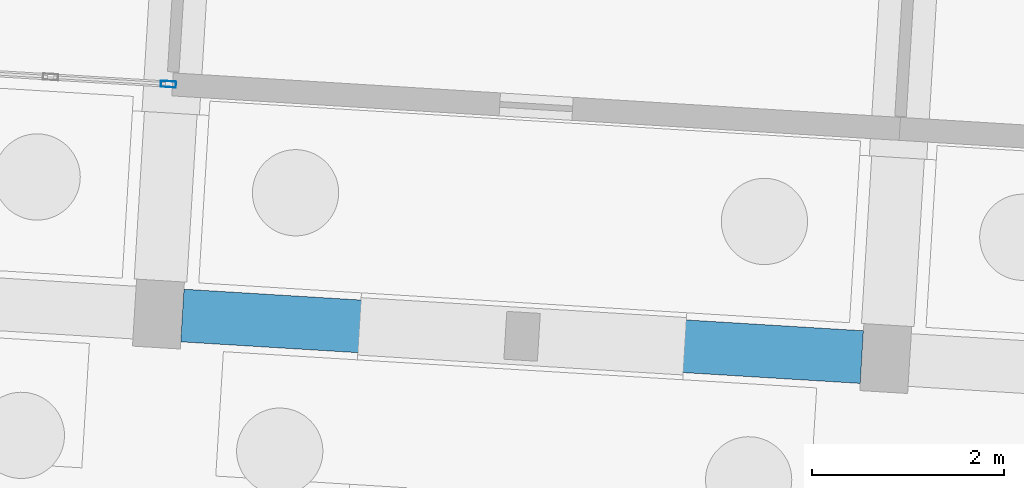
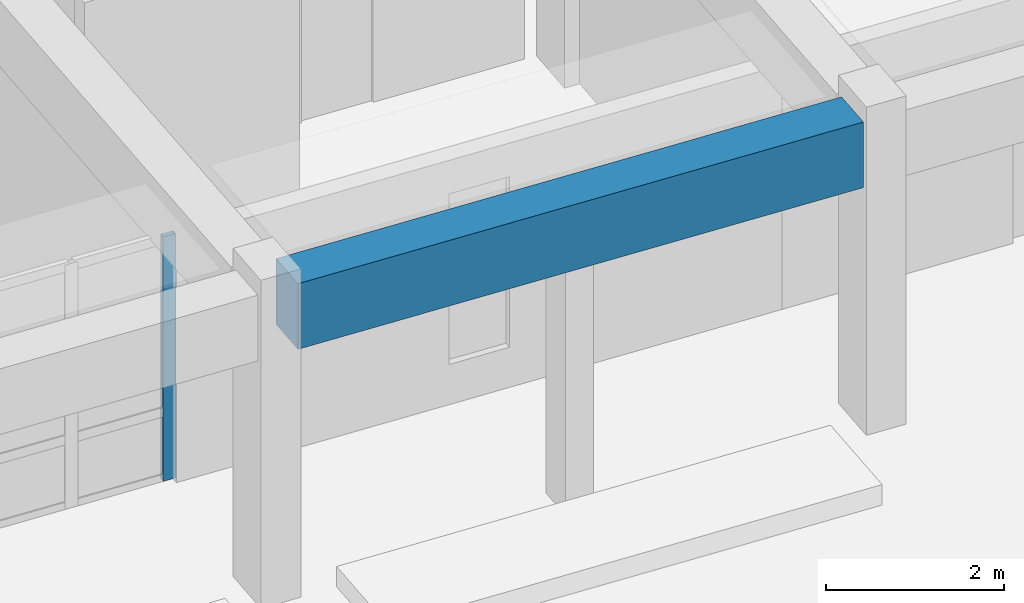
# One storey, part 46 of 154: 1 beam, 1 member, 1 element without a shape of its own.
"""IFC4 building model written with IfcOpenShell, lengths in metres."""

from ifc_helpers import new_model, si_unit, direction, frame, origin, origin_2d, place, context, subcontext, project, spatial, rectangle, hollow_rectangle, extrude, material, material_profile, profile_set, type_object, element, aggregate, save


model = new_model("IFC4")

# Units and contexts
model_context = context("Model", 3, precision=1e-05, world=origin(), true_north=direction((0.0, 1.0)))
body_context = subcontext(model_context, "Body", "Model", "MODEL_VIEW")
ifc_project = project(units=[si_unit("LENGTHUNIT", "METRE"), si_unit("AREAUNIT", "SQUARE_METRE"), si_unit("VOLUMEUNIT", "CUBIC_METRE"), si_unit("PLANEANGLEUNIT", "RADIAN"), si_unit("MASSUNIT", "GRAM", prefix="KILO")], contexts=[model_context])

# Site, building, storey
site_placement = place(None, origin())
site = spatial("IfcSite", under=ifc_project, at=site_placement, CompositionType="ELEMENT")
building_placement = place(site_placement, origin())
building = spatial("IfcBuilding", under=site, at=building_placement, Name="Kestramere Prow Commons", CompositionType="ELEMENT")
storey_placement = place(building_placement, origin())
storey = spatial("IfcBuildingStorey", under=building, at=storey_placement, Name="L00", CompositionType="ELEMENT", Elevation=0.0)

# Curtain wall, member
ifc_material_1 = material(Name="Anodised Aluminium and Low-E Glass", Category="aluminium")
curtain_wall_type = type_object("IfcCurtainWallType", Name="CW-07 Glazed Curtain Wall 7580x3350", PredefinedType="USERDEFINED", material=ifc_material_1)
curtain_wall_placement = place(storey_placement, origin())
curtain_wall = element("IfcCurtainWall", 1, at=curtain_wall_placement, inside=storey, type_object=curtain_wall_type, Name="Block C L00 South Colonnade Storefront 2", ObjectType="GLAZED CURTAIN WALL", PredefinedType="USERDEFINED")
ifc_material_2 = material(Name="Anodised Aluminium 6063-T6", Category="aluminium")
ifc_material_profile_1 = material_profile(ifc_material_2, hollow_rectangle(XDim=0.06494140625, YDim=0.159912109375, WallThickness=0.00390625, at=origin_2d()), Name="ALU-MUL 65x160")
ifc_profile_set_1 = profile_set([ifc_material_profile_1], Name="Anodised Aluminium 6063-T6")
member_type = type_object("IfcMemberType", Name="CW-MUL-65x160", PredefinedType="MULLION", material=ifc_profile_set_1)
member_placement = place(storey_placement, frame((74.775634765625, 47.97021484375, 0.0), z_axis=(0.0, 0.0, 1.0), x_axis=(-0.061048546939, -0.998134797969, 0.0)))
member = element("IfcMember", 2, at=member_placement, type_object=member_type, Name="CW-07 mullion 1", PredefinedType="MULLION", context=body_context, shape_type="SweptSolid", body=[
    extrude(hollow_rectangle(XDim=0.06494140625, YDim=0.159912109375, WallThickness=0.00390625, at=origin_2d()), origin(), (0.0, 0.0, 1.0), 3.35009765625),
])
aggregate(curtain_wall, [member])

# Beam
ifc_material_3 = material(Name="Precast concrete C40/50", Category="concrete")
ifc_material_profile_2 = material_profile(ifc_material_3, rectangle(XDim=0.550048828125, YDim=0.89990234375, at=origin_2d()), Name="PC-TG 550x900")
ifc_profile_set_2 = profile_set([ifc_material_profile_2], Name="Precast concrete C40/50")
beam_type = type_object("IfcBeamType", Name="TG-01 PC-TG 550x900 (EX)", PredefinedType="BEAM", material=ifc_profile_set_2)
beam_placement = place(storey_placement, frame((74.921142578125, 45.556884765625, 3.800048828125), z_axis=(0.998133600873, -0.061068116134, 0.0), x_axis=(0.061068116134, 0.998133600873, 0.0)))
element("IfcBeam", 3, at=beam_placement, inside=storey, type_object=beam_type, Name="Block C L00 Longitudinal Beam 1-3", PredefinedType="BEAM", context=body_context, shape_type="SweptSolid", body=[
    extrude(rectangle(XDim=0.550048828125, YDim=0.89990234375, at=origin_2d()), origin(), (0.0, 0.0, 1.0), 7.10009765625),
])

save(model, "model.ifc")
